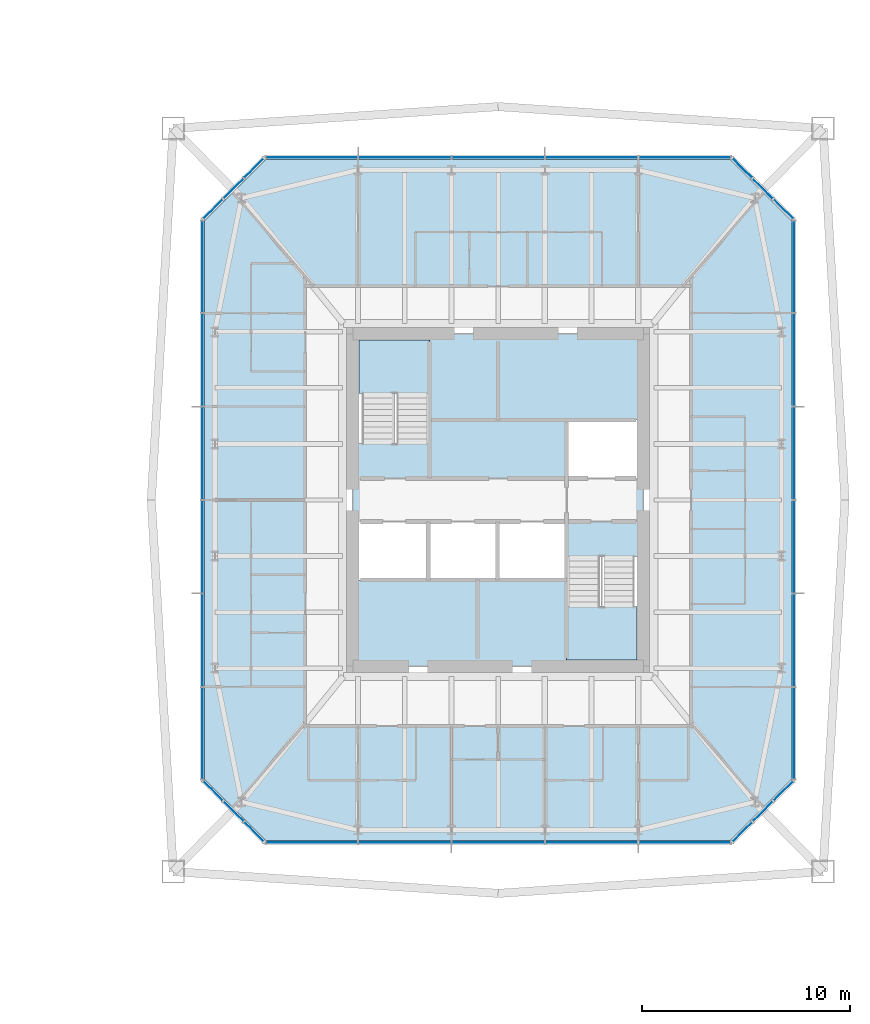
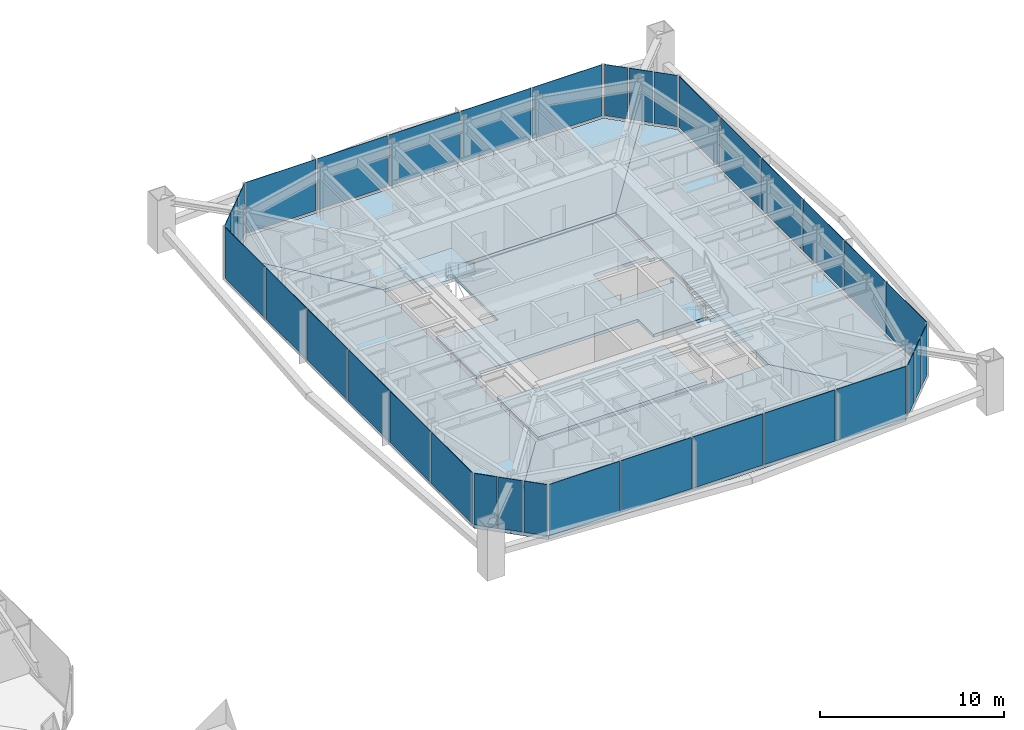
# One storey, part 12 of 25: 34 plates, 8 slabs, 10 elements without a shape of their own.
"""IFC4 building model written with IfcOpenShell, lengths in metres."""

from ifc_helpers import new_model, si_unit, direction, frame, origin, origin_2d, place, context, subcontext, project, spatial, polyline, rectangle, outline, extrude, material, layer, layer_set, constituent, constituent_set, type_object, element, aggregate, save


model = new_model("IFC4")

# Units and contexts
model_context = context("Model", 3, precision=1e-05, world=origin(), true_north=direction((0.0, 1.0)))
body_context = subcontext(model_context, "Body", "Model", "MODEL_VIEW")
ifc_project = project(units=[si_unit("LENGTHUNIT", "METRE"), si_unit("AREAUNIT", "SQUARE_METRE"), si_unit("VOLUMEUNIT", "CUBIC_METRE"), si_unit("PLANEANGLEUNIT", "RADIAN"), si_unit("MASSUNIT", "GRAM", prefix="KILO")], contexts=[model_context])

# Site, building, storey
site_placement = place(None, origin())
site = spatial("IfcSite", under=ifc_project, at=site_placement, CompositionType="ELEMENT")
building_placement = place(site_placement, origin())
building = spatial("IfcBuilding", under=site, at=building_placement, Name="Iwan Alto Co-Living Towers", CompositionType="ELEMENT")
storey_placement = place(building_placement, frame((0.0, 0.0, 87.5)))
storey = spatial("IfcBuildingStorey", under=building, at=storey_placement, Name="L23", CompositionType="ELEMENT", Elevation=87.5)

# Slabs
ifc_material_1 = material(Name="Concrete f'c 30 MPa", Category="concrete")
ifc_layer_1 = layer(ifc_material_1, 0.199951171875)
ifc_layer_set_1 = layer_set([ifc_layer_1], Name="CORE FLOOR SLAB 200")
slab_type_1 = type_object("IfcSlabType", Name="CORE FLOOR SLAB 200", PredefinedType="FLOOR", material=ifc_layer_set_1)
slab_1_placement = place(storey_placement, frame((0.0, 0.0, -0.199951171875)))
element("IfcSlab", 1, at=slab_1_placement, inside=storey, type_object=slab_type_1, Name="T2 core floor L23", PredefinedType="FLOOR", context=body_context, shape_type="SweptSolid", body=[
    extrude(outline(polyline([(70.0, -3.030029296875), (69.699951171875, -3.030029296875), (69.699951171875, -2.719970703125), (66.300048828125, -2.719970703125), (66.300048828125, -1.050048828125), (62.967041015625, -1.050048828125), (59.633056640625, -1.050048828125), (56.300048828125, -1.050048828125), (56.300048828125, -1.360107421875), (56.0, -1.360107421875), (56.0, 3.030029296875), (56.300048828125, 3.030029296875), (56.300048828125, 2.719970703125), (59.699951171875, 2.719970703125), (59.699951171875, 7.699951171875), (59.389892578125, 7.699951171875), (59.389892578125, 8.0), (70.0, 8.0), (70.0, 3.5400390625), (69.699951171875, 3.5400390625), (69.699951171875, 3.85009765625), (66.300048828125, 3.85009765625), (66.300048828125, 1.050048828125), (69.699951171875, 1.050048828125), (69.699951171875, 1.360107421875), (70.0, 1.360107421875), (70.0, -3.030029296875)])), origin(), (0.0, 0.0, 1.0), 0.199951171875),
])
slab_2_placement = place(storey_placement, frame((0.0, 0.0, -0.199951171875)))
element("IfcSlab", 2, at=slab_2_placement, inside=storey, type_object=slab_type_1, Name="T2 core floor L23", PredefinedType="FLOOR", context=body_context, shape_type="SweptSolid", body=[
    extrude(outline(polyline([(62.967041015625, -3.85009765625), (66.300048828125, -3.85009765625), (66.300048828125, -7.699951171875), (66.610107421875, -7.699951171875), (66.610107421875, -8.0), (56.0, -8.0), (56.0, -3.5400390625), (56.300048828125, -3.5400390625), (56.300048828125, -3.85009765625), (59.633056640625, -3.85009765625), (62.967041015625, -3.85009765625)])), origin(), (0.0, 0.0, 1.0), 0.199951171875),
])

# Curtain wall, plates
ifc_material_2 = material(Name="Bronze aluminium unitised frame", Category="aluminium")
curtain_wall_type_1 = type_object("IfcCurtainWallType", Name="CURTAIN WALL CW-C", PredefinedType="NOTDEFINED", material=ifc_material_2)
curtain_wall_1_placement = place(storey_placement, origin())
curtain_wall_1 = element("IfcCurtainWall", 3, at=curtain_wall_1_placement, inside=storey, type_object=curtain_wall_type_1, Name="T2 curtain wall S L23", PredefinedType="NOTDEFINED")
ifc_material_3 = material(Name="Bronze-tinted insulating glass", Category="glass")
ifc_layer_2 = layer(ifc_material_3, 0.031982421875)
ifc_layer_set_2 = layer_set([ifc_layer_2], Name="CW-C PANEL TINTED IGU 32")
plate_type_1 = type_object("IfcPlateType", Name="CW-C PANEL TINTED IGU 32", PredefinedType="CURTAIN_PANEL", material=ifc_layer_set_2)
plate_1_placement = place(storey_placement, frame((54.02001953125, -16.5, 0.10009765625), z_axis=(0.0, 0.0, 1.0), x_axis=(1.0, 0.0, 0.0)))
plate_1 = element("IfcPlate", 4, at=plate_1_placement, type_object=plate_type_1, Name="CW-C panel 1.1", PredefinedType="CURTAIN_PANEL", context=body_context, shape_type="SweptSolid", body=[
    extrude(rectangle(XDim=4.3798828125, YDim=0.031982421875, at=origin_2d()), origin(), (0.0, 0.0, 1.0), 3.39990234375),
])
plate_2_placement = place(storey_placement, frame((58.5, -16.5, 0.10009765625), z_axis=(0.0, 0.0, 1.0), x_axis=(1.0, 0.0, 0.0)))
plate_2 = element("IfcPlate", 5, at=plate_2_placement, type_object=plate_type_1, Name="CW-C panel 2.1", PredefinedType="CURTAIN_PANEL", context=body_context, shape_type="SweptSolid", body=[
    extrude(rectangle(XDim=4.419921875, YDim=0.031982421875, at=origin_2d()), origin(), (0.0, 0.0, 1.0), 3.39990234375),
])
plate_3_placement = place(storey_placement, frame((63.0, -16.5, 0.10009765625), z_axis=(0.0, 0.0, 1.0), x_axis=(1.0, 0.0, 0.0)))
plate_3 = element("IfcPlate", 6, at=plate_3_placement, type_object=plate_type_1, Name="CW-C panel 3.1", PredefinedType="CURTAIN_PANEL", context=body_context, shape_type="SweptSolid", body=[
    extrude(rectangle(XDim=4.419921875, YDim=0.031982421875, at=origin_2d()), origin(), (0.0, 0.0, 1.0), 3.39990234375),
])
plate_4_placement = place(storey_placement, frame((67.5, -16.5, 0.10009765625), z_axis=(0.0, 0.0, 1.0), x_axis=(1.0, 0.0, 0.0)))
plate_4 = element("IfcPlate", 7, at=plate_4_placement, type_object=plate_type_1, Name="CW-C panel 4.1", PredefinedType="CURTAIN_PANEL", context=body_context, shape_type="SweptSolid", body=[
    extrude(rectangle(XDim=4.419921875, YDim=0.031982421875, at=origin_2d()), origin(), (0.0, 0.0, 1.0), 3.39990234375),
])
plate_5_placement = place(storey_placement, frame((71.97998046875, -16.5, 0.10009765625), z_axis=(0.0, 0.0, 1.0), x_axis=(1.0, 0.0, 0.0)))
plate_5 = element("IfcPlate", 8, at=plate_5_placement, type_object=plate_type_1, Name="CW-C panel 5.1", PredefinedType="CURTAIN_PANEL", context=body_context, shape_type="SweptSolid", body=[
    extrude(rectangle(XDim=4.3798828125, YDim=0.031982421875, at=origin_2d()), origin(), (0.0, 0.0, 1.0), 3.39990234375),
])
aggregate(curtain_wall_1, [plate_1, plate_2, plate_3, plate_4, plate_5])

curtain_wall_2_placement = place(storey_placement, origin())
curtain_wall_2 = element("IfcCurtainWall", 9, at=curtain_wall_2_placement, inside=storey, type_object=curtain_wall_type_1, Name="T2 curtain wall E L23", PredefinedType="NOTDEFINED")
plate_6_placement = place(storey_placement, frame((77.25, -11.22998046875, 0.10009765625), z_axis=(0.0, 0.0, 1.0), x_axis=(0.0, 1.0, 0.0)))
plate_6 = element("IfcPlate", 10, at=plate_6_placement, type_object=plate_type_1, Name="CW-C panel 1.1", PredefinedType="CURTAIN_PANEL", context=body_context, shape_type="SweptSolid", body=[
    extrude(rectangle(XDim=4.3798828125, YDim=0.031982421875, at=origin_2d()), origin(), (0.0, 0.0, 1.0), 3.39990234375),
])
plate_7_placement = place(storey_placement, frame((77.25, -6.75, 0.10009765625), z_axis=(0.0, 0.0, 1.0), x_axis=(0.0, 1.0, 0.0)))
plate_7 = element("IfcPlate", 11, at=plate_7_placement, type_object=plate_type_1, Name="CW-C panel 2.1", PredefinedType="CURTAIN_PANEL", context=body_context, shape_type="SweptSolid", body=[
    extrude(rectangle(XDim=4.419921875, YDim=0.031982421875, at=origin_2d()), origin(), (0.0, 0.0, 1.0), 3.39990234375),
])
plate_8_placement = place(storey_placement, frame((77.25, -2.25, 0.10009765625), z_axis=(0.0, 0.0, 1.0), x_axis=(0.0, 1.0, 0.0)))
plate_8 = element("IfcPlate", 12, at=plate_8_placement, type_object=plate_type_1, Name="CW-C panel 3.1", PredefinedType="CURTAIN_PANEL", context=body_context, shape_type="SweptSolid", body=[
    extrude(rectangle(XDim=4.419921875, YDim=0.031982421875, at=origin_2d()), origin(), (0.0, 0.0, 1.0), 3.39990234375),
])
plate_9_placement = place(storey_placement, frame((77.25, 2.25, 0.10009765625), z_axis=(0.0, 0.0, 1.0), x_axis=(0.0, 1.0, 0.0)))
plate_9 = element("IfcPlate", 13, at=plate_9_placement, type_object=plate_type_1, Name="CW-C panel 4.1", PredefinedType="CURTAIN_PANEL", context=body_context, shape_type="SweptSolid", body=[
    extrude(rectangle(XDim=4.419921875, YDim=0.031982421875, at=origin_2d()), origin(), (0.0, 0.0, 1.0), 3.39990234375),
])
plate_10_placement = place(storey_placement, frame((77.25, 6.75, 0.10009765625), z_axis=(0.0, 0.0, 1.0), x_axis=(0.0, 1.0, 0.0)))
plate_10 = element("IfcPlate", 14, at=plate_10_placement, type_object=plate_type_1, Name="CW-C panel 5.1", PredefinedType="CURTAIN_PANEL", context=body_context, shape_type="SweptSolid", body=[
    extrude(rectangle(XDim=4.419921875, YDim=0.031982421875, at=origin_2d()), origin(), (0.0, 0.0, 1.0), 3.39990234375),
])
plate_11_placement = place(storey_placement, frame((77.25, 11.22998046875, 0.10009765625), z_axis=(0.0, 0.0, 1.0), x_axis=(0.0, 1.0, 0.0)))
plate_11 = element("IfcPlate", 15, at=plate_11_placement, type_object=plate_type_1, Name="CW-C panel 6.1", PredefinedType="CURTAIN_PANEL", context=body_context, shape_type="SweptSolid", body=[
    extrude(rectangle(XDim=4.3798828125, YDim=0.031982421875, at=origin_2d()), origin(), (0.0, 0.0, 1.0), 3.39990234375),
])
aggregate(curtain_wall_2, [plate_6, plate_7, plate_8, plate_9, plate_10, plate_11])

curtain_wall_3_placement = place(storey_placement, origin())
curtain_wall_3 = element("IfcCurtainWall", 16, at=curtain_wall_3_placement, inside=storey, type_object=curtain_wall_type_1, Name="T2 curtain wall N L23", PredefinedType="NOTDEFINED")
plate_12_placement = place(storey_placement, frame((71.97998046875, 16.5, 0.10009765625), z_axis=(0.0, 0.0, 1.0), x_axis=(-1.0, 0.0, 0.0)))
plate_12 = element("IfcPlate", 17, at=plate_12_placement, type_object=plate_type_1, Name="CW-C panel 1.1", PredefinedType="CURTAIN_PANEL", context=body_context, shape_type="SweptSolid", body=[
    extrude(rectangle(XDim=4.3798828125, YDim=0.031982421875, at=origin_2d()), origin(), (0.0, 0.0, 1.0), 3.39990234375),
])
plate_13_placement = place(storey_placement, frame((67.5, 16.5, 0.10009765625), z_axis=(0.0, 0.0, 1.0), x_axis=(-1.0, 0.0, 0.0)))
plate_13 = element("IfcPlate", 18, at=plate_13_placement, type_object=plate_type_1, Name="CW-C panel 2.1", PredefinedType="CURTAIN_PANEL", context=body_context, shape_type="SweptSolid", body=[
    extrude(rectangle(XDim=4.419921875, YDim=0.031982421875, at=origin_2d()), origin(), (0.0, 0.0, 1.0), 3.39990234375),
])
plate_14_placement = place(storey_placement, frame((63.0, 16.5, 0.10009765625), z_axis=(0.0, 0.0, 1.0), x_axis=(-1.0, 0.0, 0.0)))
plate_14 = element("IfcPlate", 19, at=plate_14_placement, type_object=plate_type_1, Name="CW-C panel 3.1", PredefinedType="CURTAIN_PANEL", context=body_context, shape_type="SweptSolid", body=[
    extrude(rectangle(XDim=4.419921875, YDim=0.031982421875, at=origin_2d()), origin(), (0.0, 0.0, 1.0), 3.39990234375),
])
plate_15_placement = place(storey_placement, frame((58.5, 16.5, 0.10009765625), z_axis=(0.0, 0.0, 1.0), x_axis=(-1.0, 0.0, 0.0)))
plate_15 = element("IfcPlate", 20, at=plate_15_placement, type_object=plate_type_1, Name="CW-C panel 4.1", PredefinedType="CURTAIN_PANEL", context=body_context, shape_type="SweptSolid", body=[
    extrude(rectangle(XDim=4.419921875, YDim=0.031982421875, at=origin_2d()), origin(), (0.0, 0.0, 1.0), 3.39990234375),
])
plate_16_placement = place(storey_placement, frame((54.02001953125, 16.5, 0.10009765625), z_axis=(0.0, 0.0, 1.0), x_axis=(-1.0, 0.0, 0.0)))
plate_16 = element("IfcPlate", 21, at=plate_16_placement, type_object=plate_type_1, Name="CW-C panel 5.1", PredefinedType="CURTAIN_PANEL", context=body_context, shape_type="SweptSolid", body=[
    extrude(rectangle(XDim=4.3798828125, YDim=0.031982421875, at=origin_2d()), origin(), (0.0, 0.0, 1.0), 3.39990234375),
])
aggregate(curtain_wall_3, [plate_12, plate_13, plate_14, plate_15, plate_16])

curtain_wall_4_placement = place(storey_placement, origin())
curtain_wall_4 = element("IfcCurtainWall", 22, at=curtain_wall_4_placement, inside=storey, type_object=curtain_wall_type_1, Name="T2 curtain wall W L23", PredefinedType="NOTDEFINED")
plate_17_placement = place(storey_placement, frame((48.75, 11.22998046875, 0.10009765625), z_axis=(0.0, 0.0, 1.0), x_axis=(0.0, -1.0, 0.0)))
plate_17 = element("IfcPlate", 23, at=plate_17_placement, type_object=plate_type_1, Name="CW-C panel 1.1", PredefinedType="CURTAIN_PANEL", context=body_context, shape_type="SweptSolid", body=[
    extrude(rectangle(XDim=4.3798828125, YDim=0.031982421875, at=origin_2d()), origin(), (0.0, 0.0, 1.0), 3.39990234375),
])
plate_18_placement = place(storey_placement, frame((48.75, 6.75, 0.10009765625), z_axis=(0.0, 0.0, 1.0), x_axis=(0.0, -1.0, 0.0)))
plate_18 = element("IfcPlate", 24, at=plate_18_placement, type_object=plate_type_1, Name="CW-C panel 2.1", PredefinedType="CURTAIN_PANEL", context=body_context, shape_type="SweptSolid", body=[
    extrude(rectangle(XDim=4.419921875, YDim=0.031982421875, at=origin_2d()), origin(), (0.0, 0.0, 1.0), 3.39990234375),
])
plate_19_placement = place(storey_placement, frame((48.75, 2.25, 0.10009765625), z_axis=(0.0, 0.0, 1.0), x_axis=(0.0, -1.0, 0.0)))
plate_19 = element("IfcPlate", 25, at=plate_19_placement, type_object=plate_type_1, Name="CW-C panel 3.1", PredefinedType="CURTAIN_PANEL", context=body_context, shape_type="SweptSolid", body=[
    extrude(rectangle(XDim=4.419921875, YDim=0.031982421875, at=origin_2d()), origin(), (0.0, 0.0, 1.0), 3.39990234375),
])
plate_20_placement = place(storey_placement, frame((48.75, -2.25, 0.10009765625), z_axis=(0.0, 0.0, 1.0), x_axis=(0.0, -1.0, 0.0)))
plate_20 = element("IfcPlate", 26, at=plate_20_placement, type_object=plate_type_1, Name="CW-C panel 4.1", PredefinedType="CURTAIN_PANEL", context=body_context, shape_type="SweptSolid", body=[
    extrude(rectangle(XDim=4.419921875, YDim=0.031982421875, at=origin_2d()), origin(), (0.0, 0.0, 1.0), 3.39990234375),
])
plate_21_placement = place(storey_placement, frame((48.75, -6.75, 0.10009765625), z_axis=(0.0, 0.0, 1.0), x_axis=(0.0, -1.0, 0.0)))
plate_21 = element("IfcPlate", 27, at=plate_21_placement, type_object=plate_type_1, Name="CW-C panel 5.1", PredefinedType="CURTAIN_PANEL", context=body_context, shape_type="SweptSolid", body=[
    extrude(rectangle(XDim=4.419921875, YDim=0.031982421875, at=origin_2d()), origin(), (0.0, 0.0, 1.0), 3.39990234375),
])
plate_22_placement = place(storey_placement, frame((48.75, -11.22998046875, 0.10009765625), z_axis=(0.0, 0.0, 1.0), x_axis=(0.0, -1.0, 0.0)))
plate_22 = element("IfcPlate", 28, at=plate_22_placement, type_object=plate_type_1, Name="CW-C panel 6.1", PredefinedType="CURTAIN_PANEL", context=body_context, shape_type="SweptSolid", body=[
    extrude(rectangle(XDim=4.3798828125, YDim=0.031982421875, at=origin_2d()), origin(), (0.0, 0.0, 1.0), 3.39990234375),
])
aggregate(curtain_wall_4, [plate_17, plate_18, plate_19, plate_20, plate_21, plate_22])

ifc_material_4 = material(Name="Bronze aluminium unitised frame", Category="aluminium")
curtain_wall_type_2 = type_object("IfcCurtainWallType", Name="CURTAIN WALL CW-D", PredefinedType="NOTDEFINED", material=ifc_material_4)
curtain_wall_5_placement = place(storey_placement, origin())
curtain_wall_5 = element("IfcCurtainWall", 29, at=curtain_wall_5_placement, inside=storey, type_object=curtain_wall_type_2, Name="T2 chamfer curtain wall SE L23", PredefinedType="NOTDEFINED")
ifc_material_5 = material(Name="Bronze-tinted insulating glass", Category="glass")
ifc_layer_3 = layer(ifc_material_5, 0.031982421875)
ifc_layer_set_3 = layer_set([ifc_layer_3], Name="CW-D PANEL TINTED IGU 32")
plate_type_2 = type_object("IfcPlateType", Name="CW-D PANEL TINTED IGU 32", PredefinedType="CURTAIN_PANEL", material=ifc_layer_set_3)
plate_23_placement = place(storey_placement, frame((74.76416015625, -15.98583984375, 0.10009765625), z_axis=(0.0, 0.0, 1.0), x_axis=(0.707106781187, 0.707106781187, 0.0)))
plate_23 = element("IfcPlate", 30, at=plate_23_placement, type_object=plate_type_2, Name="CW-D panel 1.1", PredefinedType="CURTAIN_PANEL", context=body_context, shape_type="SweptSolid", body=[
    extrude(rectangle(XDim=1.294189453125, YDim=0.031982421875, at=origin_2d()), origin(), (0.0, 0.0, 1.0), 3.39990234375),
])
plate_24_placement = place(storey_placement, frame((75.75, -15.0, 0.10009765625), z_axis=(0.0, 0.0, 1.0), x_axis=(0.707106781187, 0.707106781187, 0.0)))
plate_24 = element("IfcPlate", 31, at=plate_24_placement, type_object=plate_type_2, Name="CW-D panel 2.1", PredefinedType="CURTAIN_PANEL", context=body_context, shape_type="SweptSolid", body=[
    extrude(rectangle(XDim=1.334228515625, YDim=0.031982421875, at=origin_2d()), origin(), (0.0, 0.0, 1.0), 3.39990234375),
])
plate_25_placement = place(storey_placement, frame((76.73583984375, -14.01416015625, 0.10009765625), z_axis=(0.0, 0.0, 1.0), x_axis=(0.707106781187, 0.707106781187, 0.0)))
plate_25 = element("IfcPlate", 32, at=plate_25_placement, type_object=plate_type_2, Name="CW-D panel 3.1", PredefinedType="CURTAIN_PANEL", context=body_context, shape_type="SweptSolid", body=[
    extrude(rectangle(XDim=1.294189453125, YDim=0.031982421875, at=origin_2d()), origin(), (0.0, 0.0, 1.0), 3.39990234375),
])
aggregate(curtain_wall_5, [plate_23, plate_24, plate_25])

curtain_wall_6_placement = place(storey_placement, origin())
curtain_wall_6 = element("IfcCurtainWall", 33, at=curtain_wall_6_placement, inside=storey, type_object=curtain_wall_type_2, Name="T2 chamfer curtain wall NE L23", PredefinedType="NOTDEFINED")
plate_26_placement = place(storey_placement, frame((76.73583984375, 14.01416015625, 0.10009765625), z_axis=(0.0, 0.0, 1.0), x_axis=(-0.707106781187, 0.707106781187, 0.0)))
plate_26 = element("IfcPlate", 34, at=plate_26_placement, type_object=plate_type_2, Name="CW-D panel 1.1", PredefinedType="CURTAIN_PANEL", context=body_context, shape_type="SweptSolid", body=[
    extrude(rectangle(XDim=1.294189453125, YDim=0.031982421875, at=origin_2d()), origin(), (0.0, 0.0, 1.0), 3.39990234375),
])
plate_27_placement = place(storey_placement, frame((75.75, 15.0, 0.10009765625), z_axis=(0.0, 0.0, 1.0), x_axis=(-0.707106781187, 0.707106781187, 0.0)))
plate_27 = element("IfcPlate", 35, at=plate_27_placement, type_object=plate_type_2, Name="CW-D panel 2.1", PredefinedType="CURTAIN_PANEL", context=body_context, shape_type="SweptSolid", body=[
    extrude(rectangle(XDim=1.334228515625, YDim=0.031982421875, at=origin_2d()), origin(), (0.0, 0.0, 1.0), 3.39990234375),
])
plate_28_placement = place(storey_placement, frame((74.76416015625, 15.98583984375, 0.10009765625), z_axis=(0.0, 0.0, 1.0), x_axis=(-0.707106781187, 0.707106781187, 0.0)))
plate_28 = element("IfcPlate", 36, at=plate_28_placement, type_object=plate_type_2, Name="CW-D panel 3.1", PredefinedType="CURTAIN_PANEL", context=body_context, shape_type="SweptSolid", body=[
    extrude(rectangle(XDim=1.294189453125, YDim=0.031982421875, at=origin_2d()), origin(), (0.0, 0.0, 1.0), 3.39990234375),
])
aggregate(curtain_wall_6, [plate_26, plate_27, plate_28])

curtain_wall_7_placement = place(storey_placement, origin())
curtain_wall_7 = element("IfcCurtainWall", 37, at=curtain_wall_7_placement, inside=storey, type_object=curtain_wall_type_2, Name="T2 chamfer curtain wall NW L23", PredefinedType="NOTDEFINED")
plate_29_placement = place(storey_placement, frame((51.23583984375, 15.98583984375, 0.10009765625), z_axis=(0.0, 0.0, 1.0), x_axis=(-0.707106781187, -0.707106781187, 0.0)))
plate_29 = element("IfcPlate", 38, at=plate_29_placement, type_object=plate_type_2, Name="CW-D panel 1.1", PredefinedType="CURTAIN_PANEL", context=body_context, shape_type="SweptSolid", body=[
    extrude(rectangle(XDim=1.294189453125, YDim=0.031982421875, at=origin_2d()), origin(), (0.0, 0.0, 1.0), 3.39990234375),
])
plate_30_placement = place(storey_placement, frame((50.25, 15.0, 0.10009765625), z_axis=(0.0, 0.0, 1.0), x_axis=(-0.707106781187, -0.707106781187, 0.0)))
plate_30 = element("IfcPlate", 39, at=plate_30_placement, type_object=plate_type_2, Name="CW-D panel 2.1", PredefinedType="CURTAIN_PANEL", context=body_context, shape_type="SweptSolid", body=[
    extrude(rectangle(XDim=1.334228515625, YDim=0.031982421875, at=origin_2d()), origin(), (0.0, 0.0, 1.0), 3.39990234375),
])
plate_31_placement = place(storey_placement, frame((49.26416015625, 14.01416015625, 0.10009765625), z_axis=(0.0, 0.0, 1.0), x_axis=(-0.707106781187, -0.707106781187, 0.0)))
plate_31 = element("IfcPlate", 40, at=plate_31_placement, type_object=plate_type_2, Name="CW-D panel 3.1", PredefinedType="CURTAIN_PANEL", context=body_context, shape_type="SweptSolid", body=[
    extrude(rectangle(XDim=1.294189453125, YDim=0.031982421875, at=origin_2d()), origin(), (0.0, 0.0, 1.0), 3.39990234375),
])
aggregate(curtain_wall_7, [plate_29, plate_30, plate_31])

curtain_wall_8_placement = place(storey_placement, origin())
curtain_wall_8 = element("IfcCurtainWall", 41, at=curtain_wall_8_placement, inside=storey, type_object=curtain_wall_type_2, Name="T2 chamfer curtain wall SW L23", PredefinedType="NOTDEFINED")
plate_32_placement = place(storey_placement, frame((49.26416015625, -14.01416015625, 0.10009765625), z_axis=(0.0, 0.0, 1.0), x_axis=(0.707106781187, -0.707106781187, 0.0)))
plate_32 = element("IfcPlate", 42, at=plate_32_placement, type_object=plate_type_2, Name="CW-D panel 1.1", PredefinedType="CURTAIN_PANEL", context=body_context, shape_type="SweptSolid", body=[
    extrude(rectangle(XDim=1.294189453125, YDim=0.031982421875, at=origin_2d()), origin(), (0.0, 0.0, 1.0), 3.39990234375),
])
plate_33_placement = place(storey_placement, frame((50.25, -15.0, 0.10009765625), z_axis=(0.0, 0.0, 1.0), x_axis=(0.707106781187, -0.707106781187, 0.0)))
plate_33 = element("IfcPlate", 43, at=plate_33_placement, type_object=plate_type_2, Name="CW-D panel 2.1", PredefinedType="CURTAIN_PANEL", context=body_context, shape_type="SweptSolid", body=[
    extrude(rectangle(XDim=1.334228515625, YDim=0.031982421875, at=origin_2d()), origin(), (0.0, 0.0, 1.0), 3.39990234375),
])
plate_34_placement = place(storey_placement, frame((51.23583984375, -15.98583984375, 0.10009765625), z_axis=(0.0, 0.0, 1.0), x_axis=(0.707106781187, -0.707106781187, 0.0)))
plate_34 = element("IfcPlate", 44, at=plate_34_placement, type_object=plate_type_2, Name="CW-D panel 3.1", PredefinedType="CURTAIN_PANEL", context=body_context, shape_type="SweptSolid", body=[
    extrude(rectangle(XDim=1.294189453125, YDim=0.031982421875, at=origin_2d()), origin(), (0.0, 0.0, 1.0), 3.39990234375),
])
aggregate(curtain_wall_8, [plate_32, plate_33, plate_34])

# Stair, slab
ifc_material_6 = material(Name="Steel ASTM A36", Category="steel")
ifc_constituent_1 = constituent(ifc_material_6, Name="Stringers", Category="LoadBearing")
ifc_material_7 = material(Name="Concrete f'c 30 MPa", Category="concrete")
ifc_constituent_2 = constituent(ifc_material_7, Name="Tread fill", Category="Finish")
ifc_constituent_set = constituent_set(constituents=[ifc_constituent_1, ifc_constituent_2], Name="STAIR 3500 TWO-FLIGHT T2 CORE")
stair_type = type_object("IfcStairType", Name="STAIR 3500 TWO-FLIGHT T2 CORE", PredefinedType="HALF_TURN_STAIR", material=ifc_constituent_set)
stair_1_placement = place(storey_placement, origin())
stair_1 = element("IfcStair", 45, at=stair_1_placement, inside=storey, type_object=stair_type, Name="Stair T2-S1 L23 to L24", PredefinedType="HALF_TURN_STAIR")
ifc_material_8 = material(Name="Concrete f'c 30 MPa", Category="concrete")
ifc_layer_4 = layer(ifc_material_8, 0.199951171875)
ifc_layer_set_4 = layer_set([ifc_layer_4], Name="STAIR LANDING 200")
slab_type_2 = type_object("IfcSlabType", Name="STAIR LANDING 200", PredefinedType="LANDING", material=ifc_layer_set_4)
slab_3_placement = place(storey_placement, frame((0.0, 0.0, 1.550048828125)))
slab_3 = element("IfcSlab", 46, at=slab_3_placement, type_object=slab_type_2, Name="T2-S1 landing 1", PredefinedType="LANDING", context=body_context, shape_type="SweptSolid", body=[
    extrude(outline(polyline([(56.300048828125, 5.139892578125), (56.300048828125, 7.699951171875), (59.699951171875, 7.699951171875), (59.699951171875, 5.139892578125), (56.300048828125, 5.139892578125)])), origin(), (0.0, 0.0, 1.0), 0.199951171875),
])
aggregate(stair_1, [slab_3])

stair_2_placement = place(storey_placement, origin())
stair_2 = element("IfcStair", 47, at=stair_2_placement, inside=storey, type_object=stair_type, Name="Stair T2-S2 L23 to L24", PredefinedType="HALF_TURN_STAIR")
slab_4_placement = place(storey_placement, frame((0.0, 0.0, 1.550048828125)))
slab_4 = element("IfcSlab", 48, at=slab_4_placement, type_object=slab_type_2, Name="T2-S2 landing 1", PredefinedType="LANDING", context=body_context, shape_type="SweptSolid", body=[
    extrude(outline(polyline([(66.300048828125, -5.139892578125), (66.300048828125, -7.699951171875), (69.699951171875, -7.699951171875), (69.699951171875, -5.139892578125), (66.300048828125, -5.139892578125)])), origin(), (0.0, 0.0, 1.0), 0.199951171875),
])
aggregate(stair_2, [slab_4])

# Slabs
ifc_material_9 = material(Name="Concrete f'c 30 MPa", Category="concrete")
ifc_layer_5 = layer(ifc_material_9, 0.22998046875)
ifc_layer_set_5 = layer_set([ifc_layer_5], Name="T2 FLOOR SLAB 230")
slab_type_3 = type_object("IfcSlabType", Name="T2 FLOOR SLAB 230", PredefinedType="FLOOR", material=ifc_layer_set_5)
slab_5_placement = place(storey_placement, frame((0.0, 0.0, -0.22998046875)))
element("IfcSlab", 49, at=slab_5_placement, inside=storey, type_object=slab_type_3, Name="T2 floor slab L23 S pour", PredefinedType="FLOOR", context=body_context, shape_type="SweptSolid", body=[
    extrude(outline(polyline([(74.19140625, -16.39990234375), (51.80859375, -16.39990234375), (50.330810546875, -14.92236328125), (55.699951171875, -8.300048828125), (70.300048828125, -8.300048828125), (75.669189453125, -14.92236328125), (74.19140625, -16.39990234375)])), origin(), (0.0, 0.0, 1.0), 0.22998046875),
])
slab_6_placement = place(storey_placement, frame((0.0, 0.0, -0.22998046875)))
element("IfcSlab", 50, at=slab_6_placement, inside=storey, type_object=slab_type_3, Name="T2 floor slab L23 E pour", PredefinedType="FLOOR", context=body_context, shape_type="SweptSolid", body=[
    extrude(outline(polyline([(77.14990234375, 13.44140625), (77.14990234375, -13.44140625), (75.669189453125, -14.92236328125), (70.300048828125, -8.300048828125), (70.300048828125, 8.300048828125), (75.669189453125, 14.92236328125), (77.14990234375, 13.44140625)])), origin(), (0.0, 0.0, 1.0), 0.22998046875),
])
slab_7_placement = place(storey_placement, frame((0.0, 0.0, -0.22998046875)))
element("IfcSlab", 51, at=slab_7_placement, inside=storey, type_object=slab_type_3, Name="T2 floor slab L23 N pour", PredefinedType="FLOOR", context=body_context, shape_type="SweptSolid", body=[
    extrude(outline(polyline([(51.80859375, 16.39990234375), (74.19140625, 16.39990234375), (75.669189453125, 14.92236328125), (70.300048828125, 8.300048828125), (55.699951171875, 8.300048828125), (50.330810546875, 14.92236328125), (51.80859375, 16.39990234375)])), origin(), (0.0, 0.0, 1.0), 0.22998046875),
])
slab_8_placement = place(storey_placement, frame((0.0, 0.0, -0.22998046875)))
element("IfcSlab", 52, at=slab_8_placement, inside=storey, type_object=slab_type_3, Name="T2 floor slab L23 W pour", PredefinedType="FLOOR", context=body_context, shape_type="SweptSolid", body=[
    extrude(outline(polyline([(48.85009765625, 13.44140625), (50.330810546875, 14.92236328125), (55.699951171875, 8.300048828125), (55.699951171875, -8.300048828125), (50.330810546875, -14.92236328125), (48.85009765625, -13.44140625), (48.85009765625, 13.44140625)])), origin(), (0.0, 0.0, 1.0), 0.22998046875),
])

save(model, "model.ifc")
